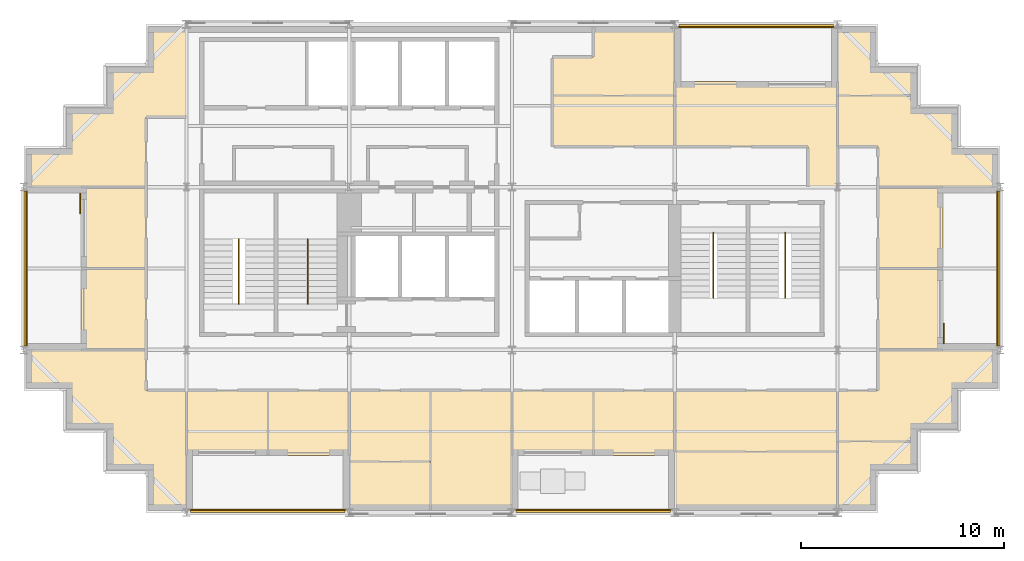
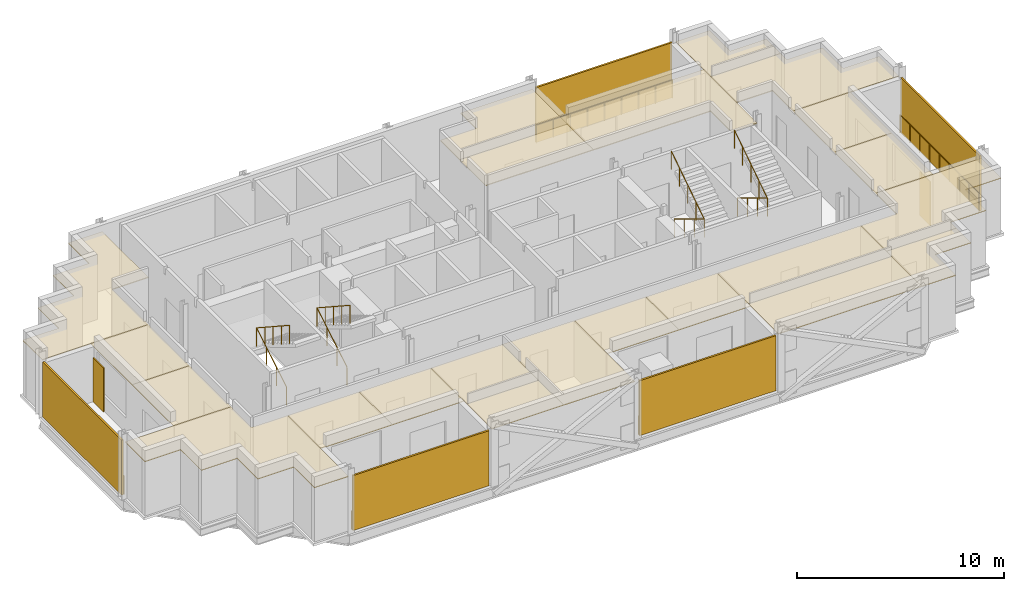
# One storey, part 9 of 10: 22 coverings, 9 railings, 7 shading devices.
"""IFC4 building model written with IfcOpenShell, lengths in metres."""

from ifc_helpers import new_model, si_unit, direction, frame, origin, origin_2d, place, context, subcontext, project, spatial, polyline, rectangle, circle, outline, extrude, material, layer, layer_set, type_object, element, save


model = new_model("IFC4")

# Units and contexts
model_context = context("Model", 3, precision=1e-05, world=origin(), true_north=direction((0.0, 1.0)))
body_context = subcontext(model_context, "Body", "Model", "MODEL_VIEW")
ifc_project = project(units=[si_unit("LENGTHUNIT", "METRE"), si_unit("AREAUNIT", "SQUARE_METRE"), si_unit("VOLUMEUNIT", "CUBIC_METRE"), si_unit("PLANEANGLEUNIT", "RADIAN"), si_unit("MASSUNIT", "GRAM", prefix="KILO")], contexts=[model_context])

# Site, building, storey
site_placement = place(None, origin())
site = spatial("IfcSite", under=ifc_project, at=site_placement, CompositionType="ELEMENT")
building_placement = place(site_placement, origin())
building = spatial("IfcBuilding", under=site, at=building_placement, Name="Immortelle Media Tower", CompositionType="ELEMENT")
storey_placement = place(building_placement, frame((0.0, 0.0, 283.0)))
storey = spatial("IfcBuildingStorey", under=building, at=storey_placement, Name="L62", CompositionType="ELEMENT", Elevation=283.0)

# Railings
ifc_material_1 = material(Name="Powder-coated aluminium fretwork panel, laminated glass backing", Category="aluminium")
railing_type_1 = type_object("IfcRailingType", Name="Fretwork balustrade 1100", PredefinedType="BALUSTRADE", material=ifc_material_1)
railing_1_placement = place(storey_placement, frame((8.1865234375, 0.139892578125, 0.0)))
element("IfcRailing", 1, at=railing_1_placement, inside=storey, type_object=railing_type_1, Name="Fretwork balustrade L62 S0", PredefinedType="BALUSTRADE", context=body_context, shape_type="SweptSolid", body=[
    extrude(circle(Radius=0.02490234375, at=origin_2d()), frame((0.0, 0.0, 1.0751953125), z_axis=(1.0, 0.0, 0.0), x_axis=(0.0, 1.0, 0.0)), (0.0, 0.0, 1.0), 7.614013671875),
    extrude(circle(Radius=0.02001953125, at=origin_2d()), origin(), (0.0, 0.0, 1.0), 1.050048828125),
    extrude(circle(Radius=0.02001953125, at=origin_2d()), frame((0.95166015625, 0.0, 0.0)), (0.0, 0.0, 1.0), 1.050048828125),
    extrude(circle(Radius=0.02001953125, at=origin_2d()), frame((1.903564453125, 0.0, 0.0)), (0.0, 0.0, 1.0), 1.050048828125),
    extrude(circle(Radius=0.02001953125, at=origin_2d()), frame((2.855224609375, 0.0, 0.0)), (0.0, 0.0, 1.0), 1.050048828125),
    extrude(circle(Radius=0.02001953125, at=origin_2d()), frame((3.80712890625, 0.0, 0.0)), (0.0, 0.0, 1.0), 1.050048828125),
    extrude(circle(Radius=0.02001953125, at=origin_2d()), frame((4.7587890625, 0.0, 0.0)), (0.0, 0.0, 1.0), 1.050048828125),
    extrude(circle(Radius=0.02001953125, at=origin_2d()), frame((5.71044921875, 0.0, 0.0)), (0.0, 0.0, 1.0), 1.050048828125),
    extrude(circle(Radius=0.02001953125, at=origin_2d()), frame((6.662353515625, 0.0, 0.0)), (0.0, 0.0, 1.0), 1.050048828125),
    extrude(circle(Radius=0.02001953125, at=origin_2d()), frame((7.614013671875, 0.0, 0.0)), (0.0, 0.0, 1.0), 1.050048828125),
])
railing_2_placement = place(storey_placement, frame((24.199462890625, 0.139892578125, 0.0)))
element("IfcRailing", 2, at=railing_2_placement, inside=storey, type_object=railing_type_1, Name="Fretwork balustrade L62 S2", PredefinedType="BALUSTRADE", context=body_context, shape_type="SweptSolid", body=[
    extrude(circle(Radius=0.02490234375, at=origin_2d()), frame((0.0, 0.0, 1.0751953125), z_axis=(1.0, 0.0, 0.0), x_axis=(0.0, 1.0, 0.0)), (0.0, 0.0, 1.0), 7.60107421875),
    extrude(circle(Radius=0.02001953125, at=origin_2d()), origin(), (0.0, 0.0, 1.0), 1.050048828125),
    extrude(circle(Radius=0.02001953125, at=origin_2d()), frame((0.9501953125, 0.0, 0.0)), (0.0, 0.0, 1.0), 1.050048828125),
    extrude(circle(Radius=0.02001953125, at=origin_2d()), frame((1.900390625, 0.0, 0.0)), (0.0, 0.0, 1.0), 1.050048828125),
    extrude(circle(Radius=0.02001953125, at=origin_2d()), frame((2.850341796875, 0.0, 0.0)), (0.0, 0.0, 1.0), 1.050048828125),
    extrude(circle(Radius=0.02001953125, at=origin_2d()), frame((3.800537109375, 0.0, 0.0)), (0.0, 0.0, 1.0), 1.050048828125),
    extrude(circle(Radius=0.02001953125, at=origin_2d()), frame((4.750732421875, 0.0, 0.0)), (0.0, 0.0, 1.0), 1.050048828125),
    extrude(circle(Radius=0.02001953125, at=origin_2d()), frame((5.70068359375, 0.0, 0.0)), (0.0, 0.0, 1.0), 1.050048828125),
    extrude(circle(Radius=0.02001953125, at=origin_2d()), frame((6.65087890625, 0.0, 0.0)), (0.0, 0.0, 1.0), 1.050048828125),
    extrude(circle(Radius=0.02001953125, at=origin_2d()), frame((7.60107421875, 0.0, 0.0)), (0.0, 0.0, 1.0), 1.050048828125),
])
railing_3_placement = place(storey_placement, frame((47.860107421875, 8.18408203125, 0.0)))
element("IfcRailing", 3, at=railing_3_placement, inside=storey, type_object=railing_type_1, Name="Fretwork balustrade L62 E0", PredefinedType="BALUSTRADE", context=body_context, shape_type="SweptSolid", body=[
    extrude(circle(Radius=0.02490234375, at=origin_2d()), frame((0.0, 0.0, 1.0751953125), z_axis=(0.0, 1.0, 0.0), x_axis=(-1.0, 0.0, 0.0)), (0.0, 0.0, 1.0), 7.6318359375),
    extrude(circle(Radius=0.02001953125, at=origin_2d()), origin(), (0.0, 0.0, 1.0), 1.050048828125),
    extrude(circle(Radius=0.02001953125, at=origin_2d()), frame((0.0, 0.9541015625, 0.0)), (0.0, 0.0, 1.0), 1.050048828125),
    extrude(circle(Radius=0.02001953125, at=origin_2d()), frame((0.0, 1.907958984375, 0.0)), (0.0, 0.0, 1.0), 1.050048828125),
    extrude(circle(Radius=0.02001953125, at=origin_2d()), frame((0.0, 2.86181640625, 0.0)), (0.0, 0.0, 1.0), 1.050048828125),
    extrude(circle(Radius=0.02001953125, at=origin_2d()), frame((0.0, 3.81591796875, 0.0)), (0.0, 0.0, 1.0), 1.050048828125),
    extrude(circle(Radius=0.02001953125, at=origin_2d()), frame((0.0, 4.77001953125, 0.0)), (0.0, 0.0, 1.0), 1.050048828125),
    extrude(circle(Radius=0.02001953125, at=origin_2d()), frame((0.0, 5.723876953125, 0.0)), (0.0, 0.0, 1.0), 1.050048828125),
    extrude(circle(Radius=0.02001953125, at=origin_2d()), frame((0.0, 6.677734375, 0.0)), (0.0, 0.0, 1.0), 1.050048828125),
    extrude(circle(Radius=0.02001953125, at=origin_2d()), frame((0.0, 7.6318359375, 0.0)), (0.0, 0.0, 1.0), 1.050048828125),
])
railing_4_placement = place(storey_placement, frame((39.8134765625, 23.860107421875, 0.0)))
element("IfcRailing", 4, at=railing_4_placement, inside=storey, type_object=railing_type_1, Name="Fretwork balustrade L62 N0", PredefinedType="BALUSTRADE", context=body_context, shape_type="SweptSolid", body=[
    extrude(circle(Radius=0.02490234375, at=origin_2d()), frame((0.0, 0.0, 1.0751953125), z_axis=(-1.0, 0.0, 0.0), x_axis=(0.0, -1.0, 0.0)), (0.0, 0.0, 1.0), 7.614013671875),
    extrude(circle(Radius=0.02001953125, at=origin_2d()), origin(), (0.0, 0.0, 1.0), 1.050048828125),
    extrude(circle(Radius=0.02001953125, at=origin_2d()), frame((-0.95166015625, 0.0, 0.0)), (0.0, 0.0, 1.0), 1.050048828125),
    extrude(circle(Radius=0.02001953125, at=origin_2d()), frame((-1.903564453125, 0.0, 0.0)), (0.0, 0.0, 1.0), 1.050048828125),
    extrude(circle(Radius=0.02001953125, at=origin_2d()), frame((-2.855224609375, 0.0, 0.0)), (0.0, 0.0, 1.0), 1.050048828125),
    extrude(circle(Radius=0.02001953125, at=origin_2d()), frame((-3.80712890625, 0.0, 0.0)), (0.0, 0.0, 1.0), 1.050048828125),
    extrude(circle(Radius=0.02001953125, at=origin_2d()), frame((-4.7587890625, 0.0, 0.0)), (0.0, 0.0, 1.0), 1.050048828125),
    extrude(circle(Radius=0.02001953125, at=origin_2d()), frame((-5.71044921875, 0.0, 0.0)), (0.0, 0.0, 1.0), 1.050048828125),
    extrude(circle(Radius=0.02001953125, at=origin_2d()), frame((-6.662353515625, 0.0, 0.0)), (0.0, 0.0, 1.0), 1.050048828125),
    extrude(circle(Radius=0.02001953125, at=origin_2d()), frame((-7.614013671875, 0.0, 0.0)), (0.0, 0.0, 1.0), 1.050048828125),
])
railing_5_placement = place(storey_placement, frame((0.139892578125, 15.81591796875, 0.0)))
element("IfcRailing", 5, at=railing_5_placement, inside=storey, type_object=railing_type_1, Name="Fretwork balustrade L62 W0", PredefinedType="BALUSTRADE", context=body_context, shape_type="SweptSolid", body=[
    extrude(circle(Radius=0.02490234375, at=origin_2d()), frame((0.0, 0.0, 1.0751953125), z_axis=(0.0, -1.0, 0.0), x_axis=(1.0, 0.0, 0.0)), (0.0, 0.0, 1.0), 7.6318359375),
    extrude(circle(Radius=0.02001953125, at=origin_2d()), origin(), (0.0, 0.0, 1.0), 1.050048828125),
    extrude(circle(Radius=0.02001953125, at=origin_2d()), frame((0.0, -0.9541015625, 0.0)), (0.0, 0.0, 1.0), 1.050048828125),
    extrude(circle(Radius=0.02001953125, at=origin_2d()), frame((0.0, -1.907958984375, 0.0)), (0.0, 0.0, 1.0), 1.050048828125),
    extrude(circle(Radius=0.02001953125, at=origin_2d()), frame((0.0, -2.86181640625, 0.0)), (0.0, 0.0, 1.0), 1.050048828125),
    extrude(circle(Radius=0.02001953125, at=origin_2d()), frame((0.0, -3.81591796875, 0.0)), (0.0, 0.0, 1.0), 1.050048828125),
    extrude(circle(Radius=0.02001953125, at=origin_2d()), frame((0.0, -4.77001953125, 0.0)), (0.0, 0.0, 1.0), 1.050048828125),
    extrude(circle(Radius=0.02001953125, at=origin_2d()), frame((0.0, -5.723876953125, 0.0)), (0.0, 0.0, 1.0), 1.050048828125),
    extrude(circle(Radius=0.02001953125, at=origin_2d()), frame((0.0, -6.677734375, 0.0)), (0.0, 0.0, 1.0), 1.050048828125),
    extrude(circle(Radius=0.02001953125, at=origin_2d()), frame((0.0, -7.6318359375, 0.0)), (0.0, 0.0, 1.0), 1.050048828125),
])

# Shading devices
ifc_material_2 = material(Name="Pale aluminium louvre blades", Category="aluminium")
ifc_layer_1 = layer(ifc_material_2, 0.10009765625)
ifc_layer_set_1 = layer_set([ifc_layer_1], Name="Pale aluminium louvre blades")
shading_device_type_1 = type_object("IfcShadingDeviceType", Name="Jalousie screen 100", PredefinedType="JALOUSIE", material=ifc_layer_set_1)
shading_device_1_placement = place(storey_placement, frame((11.993408203125, 0.050048828125, 0.0), z_axis=(0.0, 0.0, 1.0), x_axis=(1.0, 0.0, 0.0)))
element("IfcShadingDevice", 6, at=shading_device_1_placement, inside=storey, type_object=shading_device_type_1, Name="Jalousie screen L62 S0", PredefinedType="JALOUSIE", context=body_context, shape_type="SweptSolid", body=[
    extrude(rectangle(XDim=7.614013671875, YDim=0.10009765625, at=origin_2d()), origin(), (0.0, 0.0, 1.0), 3.248046875),
])
shading_device_2_placement = place(storey_placement, frame((28.0, 0.050048828125, 0.0), z_axis=(0.0, 0.0, 1.0), x_axis=(1.0, 0.0, 0.0)))
element("IfcShadingDevice", 7, at=shading_device_2_placement, inside=storey, type_object=shading_device_type_1, Name="Jalousie screen L62 S2", PredefinedType="JALOUSIE", context=body_context, shape_type="SweptSolid", body=[
    extrude(rectangle(XDim=7.60107421875, YDim=0.10009765625, at=origin_2d()), origin(), (0.0, 0.0, 1.0), 3.248046875),
])
shading_device_3_placement = place(storey_placement, frame((47.949951171875, 12.0, 0.0), z_axis=(0.0, 0.0, 1.0), x_axis=(0.0, 1.0, 0.0)))
element("IfcShadingDevice", 8, at=shading_device_3_placement, inside=storey, type_object=shading_device_type_1, Name="Jalousie screen L62 E0", PredefinedType="JALOUSIE", context=body_context, shape_type="SweptSolid", body=[
    extrude(rectangle(XDim=7.632080078125, YDim=0.10009765625, at=origin_2d()), origin(), (0.0, 0.0, 1.0), 3.248046875),
])
shading_device_4_placement = place(storey_placement, frame((36.006591796875, 23.949951171875, 0.0), z_axis=(0.0, 0.0, 1.0), x_axis=(-1.0, 0.0, 0.0)))
element("IfcShadingDevice", 9, at=shading_device_4_placement, inside=storey, type_object=shading_device_type_1, Name="Jalousie screen L62 N0", PredefinedType="JALOUSIE", context=body_context, shape_type="SweptSolid", body=[
    extrude(rectangle(XDim=7.614013671875, YDim=0.10009765625, at=origin_2d()), origin(), (0.0, 0.0, 1.0), 3.248046875),
])
shading_device_5_placement = place(storey_placement, frame((0.050048828125, 12.0, 0.0), z_axis=(0.0, 0.0, 1.0), x_axis=(0.0, -1.0, 0.0)))
element("IfcShadingDevice", 10, at=shading_device_5_placement, inside=storey, type_object=shading_device_type_1, Name="Jalousie screen L62 W0", PredefinedType="JALOUSIE", context=body_context, shape_type="SweptSolid", body=[
    extrude(rectangle(XDim=7.632080078125, YDim=0.10009765625, at=origin_2d()), origin(), (0.0, 0.0, 1.0), 3.248046875),
])
ifc_material_3 = material(Name="Pale aluminium louvre blades in a folding frame", Category="aluminium")
ifc_layer_2 = layer(ifc_material_3, 0.050048828125)
ifc_layer_set_2 = layer_set([ifc_layer_2], Name="Pale aluminium louvre blades in a folding frame")
shading_device_type_2 = type_object("IfcShadingDeviceType", Name="Louvred loggia shutter", PredefinedType="SHUTTER", material=ifc_layer_set_2)
for number, where, z_axis, x_axis, name in (
    (11, (45.22509765625, 8.800048828125, 0.0), (0.0, 0.0, 1.0), (0.0, 1.0, 0.0), "Loggia shutter L62 E0"),
    (12, (2.77490234375, 15.199951171875, 0.0), (0.0, 0.0, 1.0), (0.0, -1.0, 0.0), "Loggia shutter L62 W0"),
):
    element("IfcShadingDevice", number, at=place(storey_placement, frame(where, z_axis=z_axis, x_axis=x_axis)), inside=storey, type_object=shading_device_type_2, Name=name, PredefinedType="SHUTTER", context=body_context, shape_type="SweptSolid", body=[
        extrude(rectangle(XDim=1.0, YDim=0.050048828125, at=origin_2d()), origin(), (0.0, 0.0, 1.0), 2.60009765625),
    ])

# Railings
ifc_material_4 = material(Name="Stainless steel AISI 316", Category="steel")
railing_type_2 = type_object("IfcRailingType", Name="Stair guard 1100", PredefinedType="GUARDRAIL", material=ifc_material_4)
for number, where, name in (
    (13, (10.574951171875, 10.5400390625, 0.173828125), "Stair guard SW1"),
    (14, (13.949951171875, 10.5400390625, 0.173828125), "Stair guard SW2"),
):
    element("IfcRailing", number, at=place(storey_placement, frame(where)), inside=storey, type_object=railing_type_2, Name=name, PredefinedType="GUARDRAIL", context=body_context, shape_type="SweptSolid", body=[
        extrude(circle(Radius=0.02392578125, at=origin_2d()), frame((0.0, 0.0, 1.076171875), z_axis=(0.0, 0.857582100076, 0.514347102285), x_axis=(-1.0, 0.0, 0.0)), (0.0, 0.0, 1.0), 3.381591796875),
        extrude(circle(Radius=0.02392578125, at=origin_2d()), frame((0.0, 2.89990234375, 2.8154296875), z_axis=(0.0, -0.836827423118, 0.547466769693), x_axis=(1.0, 0.0, 0.0)), (0.0, 0.0, 1.0), 3.81201171875),
        extrude(circle(Radius=0.02099609375, at=origin_2d()), origin(), (0.0, 0.0, 1.0), 1.052001953125),
        extrude(circle(Radius=0.02099609375, at=origin_2d()), frame((0.0, 0.966552734375, 0.579833984375)), (0.0, 0.0, 1.0), 1.052001953125),
        extrude(circle(Radius=0.02099609375, at=origin_2d()), frame((0.0, 1.933349609375, 1.159423828125)), (0.0, 0.0, 1.0), 1.052001953125),
        extrude(circle(Radius=0.02099609375, at=origin_2d()), frame((0.0, 2.89990234375, 1.7392578125)), (0.0, 0.0, 1.0), 1.052001953125),
        extrude(circle(Radius=0.02099609375, at=origin_2d()), frame((0.0, 2.1025390625, 2.260986328125)), (0.0, 0.0, 1.0), 1.052001953125),
        extrude(circle(Radius=0.02099609375, at=origin_2d()), frame((0.0, 1.304931640625, 2.78271484375)), (0.0, 0.0, 1.0), 1.052001953125),
        extrude(circle(Radius=0.02099609375, at=origin_2d()), frame((0.0, 0.50732421875, 3.304443359375)), (0.0, 0.0, 1.0), 1.052001953125),
        extrude(circle(Radius=0.02099609375, at=origin_2d()), frame((0.0, -0.2900390625, 3.826171875)), (0.0, 0.0, 1.0), 1.052001953125),
    ])
for number, where, name in (
    (15, (33.89990234375, 13.4599609375, 0.173828125), "Stair guard SE1"),
    (16, (37.425048828125, 13.4599609375, 0.173828125), "Stair guard SE2"),
):
    element("IfcRailing", number, at=place(storey_placement, frame(where)), inside=storey, type_object=railing_type_2, Name=name, PredefinedType="GUARDRAIL", context=body_context, shape_type="SweptSolid", body=[
        extrude(circle(Radius=0.02392578125, at=origin_2d()), frame((0.0, 0.0, 1.076171875), z_axis=(0.0, -0.857582100076, 0.514347102285), x_axis=(1.0, 0.0, 0.0)), (0.0, 0.0, 1.0), 3.381591796875),
        extrude(circle(Radius=0.02392578125, at=origin_2d()), frame((0.0, -2.89990234375, 2.8154296875), z_axis=(0.0, 0.836827423118, 0.547466769693), x_axis=(-1.0, 0.0, 0.0)), (0.0, 0.0, 1.0), 3.81201171875),
        extrude(circle(Radius=0.02099609375, at=origin_2d()), origin(), (0.0, 0.0, 1.0), 1.052001953125),
        extrude(circle(Radius=0.02099609375, at=origin_2d()), frame((0.0, -0.966552734375, 0.579833984375)), (0.0, 0.0, 1.0), 1.052001953125),
        extrude(circle(Radius=0.02099609375, at=origin_2d()), frame((0.0, -1.933349609375, 1.159423828125)), (0.0, 0.0, 1.0), 1.052001953125),
        extrude(circle(Radius=0.02099609375, at=origin_2d()), frame((0.0, -2.89990234375, 1.7392578125)), (0.0, 0.0, 1.0), 1.052001953125),
        extrude(circle(Radius=0.02099609375, at=origin_2d()), frame((0.0, -2.1025390625, 2.260986328125)), (0.0, 0.0, 1.0), 1.052001953125),
        extrude(circle(Radius=0.02099609375, at=origin_2d()), frame((0.0, -1.304931640625, 2.78271484375)), (0.0, 0.0, 1.0), 1.052001953125),
        extrude(circle(Radius=0.02099609375, at=origin_2d()), frame((0.0, -0.50732421875, 3.304443359375)), (0.0, 0.0, 1.0), 1.052001953125),
        extrude(circle(Radius=0.02099609375, at=origin_2d()), frame((0.0, 0.2900390625, 3.826171875)), (0.0, 0.0, 1.0), 1.052001953125),
    ])

# Coverings
ifc_material_5 = material(Name="Mineral fibre tile ceiling")
ifc_layer_3 = layer(ifc_material_5, 0.050048828125)
ifc_layer_set_3 = layer_set([ifc_layer_3], Name="Mineral fibre tile ceiling")
covering_type = type_object("IfcCoveringType", Name="Suspended ceiling 50", PredefinedType="CEILING", material=ifc_layer_set_3)
covering_1_placement = place(storey_placement, frame((0.0, 0.0, 3.18798828125)))
element("IfcCovering", 17, at=covering_1_placement, inside=storey, type_object=covering_type, Name="Ceiling L62-001", PredefinedType="CEILING", context=body_context, shape_type="SweptSolid", body=[
    extrude(outline(polyline([(16.0, 6.0), (20.0, 6.0), (20.0, 2.5), (16.0, 2.5), (16.0, 2.800048828125), (16.0, 6.0)])), origin(), (0.0, 0.0, 1.0), 0.050048828125),
])
covering_2_placement = place(storey_placement, frame((0.0, 0.0, 3.18798828125)))
element("IfcCovering", 18, at=covering_2_placement, inside=storey, type_object=covering_type, Name="Ceiling L62-002", PredefinedType="CEILING", context=body_context, shape_type="SweptSolid", body=[
    extrude(outline(polyline([(20.0, 0.10009765625), (16.0, 0.10009765625), (16.0, 2.5), (20.0, 2.5), (20.0, 0.10009765625)])), origin(), (0.0, 0.0, 1.0), 0.050048828125),
])
covering_3_placement = place(storey_placement, frame((0.0, 0.0, 3.18798828125)))
element("IfcCovering", 19, at=covering_3_placement, inside=storey, type_object=covering_type, Name="Ceiling L62-003", PredefinedType="CEILING", context=body_context, shape_type="SweptSolid", body=[
    extrude(outline(polyline([(24.0, 6.0), (24.0, 2.800048828125), (24.0, 0.10009765625), (20.0, 0.10009765625), (20.0, 6.0), (24.0, 6.0)])), origin(), (0.0, 0.0, 1.0), 0.050048828125),
])
covering_4_placement = place(storey_placement, frame((0.0, 0.0, 3.18798828125)))
element("IfcCovering", 20, at=covering_4_placement, inside=storey, type_object=covering_type, Name="Ceiling L62-004", PredefinedType="CEILING", context=body_context, shape_type="SweptSolid", body=[
    extrude(outline(polyline([(40.0, 6.0), (40.0, 3.0), (32.0, 3.0), (32.0, 6.0), (40.0, 6.0)])), origin(), (0.0, 0.0, 1.0), 0.050048828125),
])
covering_5_placement = place(storey_placement, frame((0.0, 0.0, 3.18798828125)))
element("IfcCovering", 21, at=covering_5_placement, inside=storey, type_object=covering_type, Name="Ceiling L62-005", PredefinedType="CEILING", context=body_context, shape_type="SweptSolid", body=[
    extrude(outline(polyline([(40.0, 0.10009765625), (32.0, 0.10009765625), (32.0, 2.800048828125), (32.0, 3.0), (40.0, 3.0), (40.0, 0.10009765625)])), origin(), (0.0, 0.0, 1.0), 0.050048828125),
])
covering_6_placement = place(storey_placement, frame((0.0, 0.0, 3.18798828125)))
element("IfcCovering", 22, at=covering_6_placement, inside=storey, type_object=covering_type, Name="Ceiling L62-006", PredefinedType="CEILING", context=body_context, shape_type="SweptSolid", body=[
    extrude(outline(polyline([(42.0, 8.0), (45.199951171875, 8.0), (47.89990234375, 8.0), (47.89990234375, 6.10009765625), (45.89990234375, 6.10009765625), (45.89990234375, 4.10009765625), (43.89990234375, 4.10009765625), (43.89990234375, 3.5), (40.0, 3.5), (40.0, 6.0), (42.0, 6.0), (42.0, 8.0)])), origin(), (0.0, 0.0, 1.0), 0.050048828125),
])
covering_7_placement = place(storey_placement, frame((0.0, 0.0, 3.18798828125)))
element("IfcCovering", 23, at=covering_7_placement, inside=storey, type_object=covering_type, Name="Ceiling L62-007", PredefinedType="CEILING", context=body_context, shape_type="SweptSolid", body=[
    extrude(outline(polyline([(43.89990234375, 2.10009765625), (41.89990234375, 2.10009765625), (41.89990234375, 0.10009765625), (40.0, 0.10009765625), (40.0, 3.5), (43.89990234375, 3.5), (43.89990234375, 2.10009765625)])), origin(), (0.0, 0.0, 1.0), 0.050048828125),
])
covering_8_placement = place(storey_placement, frame((0.0, 0.0, 3.18798828125)))
element("IfcCovering", 24, at=covering_8_placement, inside=storey, type_object=covering_type, Name="Ceiling L62-008", PredefinedType="CEILING", context=body_context, shape_type="SweptSolid", body=[
    extrude(outline(polyline([(8.0, 6.0), (12.0, 6.0), (12.0, 2.800048828125), (8.0, 2.800048828125), (8.0, 6.0)])), origin(), (0.0, 0.0, 1.0), 0.050048828125),
])
covering_9_placement = place(storey_placement, frame((0.0, 0.0, 3.18798828125)))
element("IfcCovering", 25, at=covering_9_placement, inside=storey, type_object=covering_type, Name="Ceiling L62-009", PredefinedType="CEILING", context=body_context, shape_type="SweptSolid", body=[
    extrude(outline(polyline([(16.0, 6.0), (16.0, 2.800048828125), (12.0, 2.800048828125), (12.0, 6.0), (16.0, 6.0)])), origin(), (0.0, 0.0, 1.0), 0.050048828125),
])
covering_10_placement = place(storey_placement, frame((0.0, 0.0, 3.18798828125)))
element("IfcCovering", 26, at=covering_10_placement, inside=storey, type_object=covering_type, Name="Ceiling L62-010", PredefinedType="CEILING", context=body_context, shape_type="SweptSolid", body=[
    extrude(outline(polyline([(24.0, 6.0), (26.0, 6.0), (28.0, 6.0), (28.0, 2.800048828125), (24.0, 2.800048828125), (24.0, 6.0)])), origin(), (0.0, 0.0, 1.0), 0.050048828125),
])
covering_11_placement = place(storey_placement, frame((0.0, 0.0, 3.18798828125)))
element("IfcCovering", 27, at=covering_11_placement, inside=storey, type_object=covering_type, Name="Ceiling L62-011", PredefinedType="CEILING", context=body_context, shape_type="SweptSolid", body=[
    extrude(outline(polyline([(32.0, 6.0), (32.0, 2.800048828125), (28.0, 2.800048828125), (28.0, 6.0), (32.0, 6.0)])), origin(), (0.0, 0.0, 1.0), 0.050048828125),
])
covering_12_placement = place(storey_placement, frame((0.0, 0.0, 3.18798828125)))
element("IfcCovering", 28, at=covering_12_placement, inside=storey, type_object=covering_type, Name="Ceiling L62-012", PredefinedType="CEILING", context=body_context, shape_type="SweptSolid", body=[
    extrude(outline(polyline([(4.10009765625, 2.10009765625), (4.10009765625, 4.10009765625), (4.0, 4.10009765625), (2.10009765625, 4.10009765625), (2.10009765625, 6.10009765625), (0.10009765625, 6.10009765625), (0.10009765625, 8.0), (2.800048828125, 8.0), (4.0, 8.0), (6.0, 8.0), (6.0, 6.0), (8.0, 6.0), (8.0, 2.800048828125), (8.0, 0.10009765625), (6.10009765625, 0.10009765625), (6.10009765625, 2.10009765625), (4.10009765625, 2.10009765625)])), origin(), (0.0, 0.0, 1.0), 0.050048828125),
])
covering_13_placement = place(storey_placement, frame((0.0, 0.0, 3.18798828125)))
element("IfcCovering", 29, at=covering_13_placement, inside=storey, type_object=covering_type, Name="Ceiling L62-013", PredefinedType="CEILING", context=body_context, shape_type="SweptSolid", body=[
    extrude(outline(polyline([(2.800048828125, 8.0), (2.800048828125, 12.0), (6.0, 12.0), (6.0, 8.0), (2.800048828125, 8.0)])), origin(), (0.0, 0.0, 1.0), 0.050048828125),
])
covering_14_placement = place(storey_placement, frame((0.0, 0.0, 3.18798828125)))
element("IfcCovering", 30, at=covering_14_placement, inside=storey, type_object=covering_type, Name="Ceiling L62-014", PredefinedType="CEILING", context=body_context, shape_type="SweptSolid", body=[
    extrude(outline(polyline([(2.800048828125, 16.0), (6.0, 16.0), (6.0, 12.0), (2.800048828125, 12.0), (2.800048828125, 16.0)])), origin(), (0.0, 0.0, 1.0), 0.050048828125),
])
covering_15_placement = place(storey_placement, frame((0.0, 0.0, 3.18798828125)))
element("IfcCovering", 31, at=covering_15_placement, inside=storey, type_object=covering_type, Name="Ceiling L62-015", PredefinedType="CEILING", context=body_context, shape_type="SweptSolid", body=[
    extrude(outline(polyline([(42.0, 8.0), (42.0, 12.0), (45.199951171875, 12.0), (45.199951171875, 8.0), (42.0, 8.0)])), origin(), (0.0, 0.0, 1.0), 0.050048828125),
])
covering_16_placement = place(storey_placement, frame((0.0, 0.0, 3.18798828125)))
element("IfcCovering", 32, at=covering_16_placement, inside=storey, type_object=covering_type, Name="Ceiling L62-016", PredefinedType="CEILING", context=body_context, shape_type="SweptSolid", body=[
    extrude(outline(polyline([(42.0, 16.0), (45.199951171875, 16.0), (45.199951171875, 12.0), (42.0, 12.0), (42.0, 16.0)])), origin(), (0.0, 0.0, 1.0), 0.050048828125),
])
covering_17_placement = place(storey_placement, frame((0.0, 0.0, 3.18798828125)))
element("IfcCovering", 33, at=covering_17_placement, inside=storey, type_object=covering_type, Name="Ceiling L62-017", PredefinedType="CEILING", context=body_context, shape_type="SweptSolid", body=[
    extrude(outline(polyline([(2.800048828125, 16.0), (0.10009765625, 16.0), (0.10009765625, 17.89990234375), (2.10009765625, 17.89990234375), (2.10009765625, 19.89990234375), (4.10009765625, 19.89990234375), (4.10009765625, 20.0), (4.10009765625, 21.89990234375), (6.10009765625, 21.89990234375), (6.10009765625, 23.89990234375), (8.0, 23.89990234375), (8.0, 20.0), (8.0, 19.449951171875), (6.0, 19.449951171875), (6.0, 16.0), (2.800048828125, 16.0)])), origin(), (0.0, 0.0, 1.0), 0.050048828125),
])
covering_18_placement = place(storey_placement, frame((0.0, 0.0, 3.18798828125)))
element("IfcCovering", 34, at=covering_18_placement, inside=storey, type_object=covering_type, Name="Ceiling L62-018", PredefinedType="CEILING", context=body_context, shape_type="SweptSolid", body=[
    extrude(outline(polyline([(45.89990234375, 17.89990234375), (47.89990234375, 17.89990234375), (47.89990234375, 16.0), (45.199951171875, 16.0), (44.0, 16.0), (42.0, 16.0), (42.0, 18.0), (40.0, 18.0), (40.0, 20.5), (43.89990234375, 20.5), (43.89990234375, 19.89990234375), (44.0, 19.89990234375), (45.89990234375, 19.89990234375), (45.89990234375, 17.89990234375)])), origin(), (0.0, 0.0, 1.0), 0.050048828125),
])
covering_19_placement = place(storey_placement, frame((0.0, 0.0, 3.18798828125)))
element("IfcCovering", 35, at=covering_19_placement, inside=storey, type_object=covering_type, Name="Ceiling L62-019", PredefinedType="CEILING", context=body_context, shape_type="SweptSolid", body=[
    extrude(outline(polyline([(40.0, 21.199951171875), (40.0, 23.89990234375), (41.89990234375, 23.89990234375), (41.89990234375, 21.89990234375), (43.89990234375, 21.89990234375), (43.89990234375, 20.5), (40.0, 20.5), (40.0, 21.199951171875)])), origin(), (0.0, 0.0, 1.0), 0.050048828125),
])
covering_20_placement = place(storey_placement, frame((0.0, 0.0, 3.18798828125)))
element("IfcCovering", 36, at=covering_20_placement, inside=storey, type_object=covering_type, Name="Ceiling L62-020", PredefinedType="CEILING", context=body_context, shape_type="SweptSolid", body=[
    extrude(outline(polyline([(38.550048828125, 16.0), (38.550048828125, 18.0), (32.0, 18.0), (32.0, 21.199951171875), (40.0, 21.199951171875), (40.0, 18.0), (40.0, 16.0), (38.550048828125, 16.0)])), origin(), (0.0, 0.0, 1.0), 0.050048828125),
])
covering_21_placement = place(storey_placement, frame((0.0, 0.0, 3.18798828125)))
element("IfcCovering", 37, at=covering_21_placement, inside=storey, type_object=covering_type, Name="Ceiling L62-021", PredefinedType="CEILING", context=body_context, shape_type="SweptSolid", body=[
    extrude(outline(polyline([(26.0, 18.0), (26.0, 19.449951171875), (26.0, 20.5), (32.0, 20.5), (32.0, 18.0), (27.0, 18.0), (26.0, 18.0)])), origin(), (0.0, 0.0, 1.0), 0.050048828125),
])
covering_22_placement = place(storey_placement, frame((0.0, 0.0, 3.18798828125)))
element("IfcCovering", 38, at=covering_22_placement, inside=storey, type_object=covering_type, Name="Ceiling L62-022", PredefinedType="CEILING", context=body_context, shape_type="SweptSolid", body=[
    extrude(outline(polyline([(26.0, 22.39990234375), (28.0, 22.39990234375), (28.0, 23.89990234375), (32.0, 23.89990234375), (32.0, 21.199951171875), (32.0, 20.5), (26.0, 20.5), (26.0, 22.39990234375)])), origin(), (0.0, 0.0, 1.0), 0.050048828125),
])

save(model, "model.ifc")
